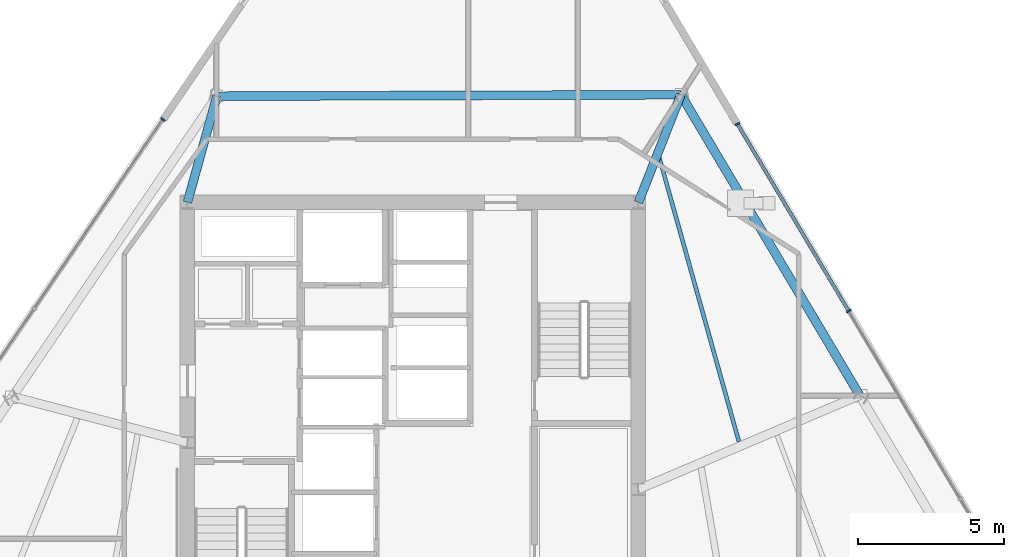
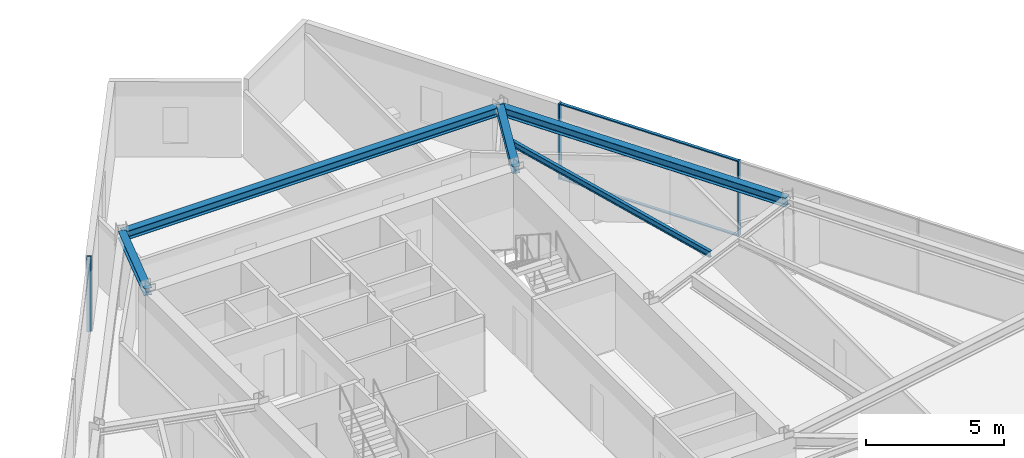
# One storey, part 6 of 13: 5 beams, 5 members, 2 elements without a shape of their own.
"""IFC4 building model written with IfcOpenShell, lengths in metres."""

from ifc_helpers import new_model, si_unit, direction, frame, origin, origin_2d, place, context, subcontext, project, spatial, rectangle, i_section, extrude, material, material_profile, profile_set, type_object, element, aggregate, save


model = new_model("IFC4")

# Units and contexts
model_context = context("Model", 3, precision=1e-05, world=origin(), true_north=direction((0.0, 1.0)))
body_context = subcontext(model_context, "Body", "Model", "MODEL_VIEW")
ifc_project = project(units=[si_unit("LENGTHUNIT", "METRE"), si_unit("AREAUNIT", "SQUARE_METRE"), si_unit("VOLUMEUNIT", "CUBIC_METRE"), si_unit("PLANEANGLEUNIT", "RADIAN"), si_unit("MASSUNIT", "GRAM", prefix="KILO")], contexts=[model_context])

# Site, building, storey
site_placement = place(None, origin())
site = spatial("IfcSite", under=ifc_project, at=site_placement, CompositionType="ELEMENT")
building_placement = place(site_placement, origin())
building = spatial("IfcBuilding", under=site, at=building_placement, Name="Savorim Split Tower", CompositionType="ELEMENT")
storey_placement = place(building_placement, frame((0.0, 0.0, 174.60009765625)))
storey = spatial("IfcBuildingStorey", under=building, at=storey_placement, Name="L46", CompositionType="ELEMENT", Elevation=174.60009765625)

# Beams
ifc_material_1 = material(Name="Steel S355", Category="steel")
ifc_material_profile_1 = material_profile(ifc_material_1, i_section(OverallWidth=0.135009765625, OverallDepth=0.27001953125, WebThickness=0.006591796875, FlangeThickness=0.01025390625, FilletRadius=0.014892578125, at=origin_2d()), Name="IPE 270")
ifc_profile_set_1 = profile_set([ifc_material_profile_1], Name="Steel S355")
beam_type_1 = type_object("IfcBeamType", Name="BM-JST-IPE270", PredefinedType="JOIST", material=ifc_profile_set_1)
beam_1_placement = place(storey_placement, frame((11.13232421875, 2.03125, 3.21484375), z_axis=(-0.269954247907, 0.962873150543, 0.0), x_axis=(-0.962873150543, -0.269954247907, 0.0)))
element("IfcBeam", 1, at=beam_1_placement, inside=storey, type_object=beam_type_1, Name="L46 Secondary Floor Joist JS-07", PredefinedType="JOIST", context=body_context, shape_type="SweptSolid", body=[
    extrude(i_section(OverallWidth=0.135009765625, OverallDepth=0.27001953125, WebThickness=0.006591796875, FlangeThickness=0.01025390625, FilletRadius=0.014892578125, at=origin_2d()), origin(), (0.0, 0.0, 1.0), 10.079345703125),
])
ifc_material_profile_2 = material_profile(ifc_material_1, i_section(OverallWidth=0.300048828125, OverallDepth=0.320068359375, WebThickness=0.011474609375, FlangeThickness=0.0205078125, FilletRadius=0.027099609375, at=origin_2d()), Name="HEB 320")
ifc_profile_set_2 = profile_set([ifc_material_profile_2], Name="Steel S355")
beam_type_2 = type_object("IfcBeamType", Name="BM-PRI-HEB320", PredefinedType="BEAM", material=ifc_profile_set_2)
beam_2_placement = place(storey_placement, frame((9.15234375, 13.875, 3.18994140625), z_axis=(-0.367542084086, -0.930006890526, 0.0), x_axis=(0.930006890526, -0.367542084086, 0.0)))
element("IfcBeam", 2, at=beam_2_placement, inside=storey, type_object=beam_type_2, Name="L46 Primary Floor Girder RG-07", PredefinedType="BEAM", context=body_context, shape_type="SweptSolid", body=[
    extrude(i_section(OverallWidth=0.300048828125, OverallDepth=0.320068359375, WebThickness=0.011474609375, FlangeThickness=0.0205078125, FilletRadius=0.027099609375, at=origin_2d()), origin(), (0.0, 0.0, 1.0), 3.95166015625),
])
beam_3_placement = place(storey_placement, frame((-6.6923828125, 13.826171875, 3.18994140625), z_axis=(-0.267714122272, -0.963498390625, 0.0), x_axis=(0.963498390625, -0.267714122272, 0.0)))
element("IfcBeam", 3, at=beam_3_placement, inside=storey, type_object=beam_type_2, Name="L46 Primary Floor Girder RG-08", PredefinedType="BEAM", context=body_context, shape_type="SweptSolid", body=[
    extrude(i_section(OverallWidth=0.300048828125, OverallDepth=0.320068359375, WebThickness=0.011474609375, FlangeThickness=0.0205078125, FilletRadius=0.027099609375, at=origin_2d()), origin(), (0.0, 0.0, 1.0), 3.763671875),
])
ifc_material_profile_3 = material_profile(ifc_material_1, i_section(OverallWidth=0.300048828125, OverallDepth=0.389892578125, WebThickness=0.010986328125, FlangeThickness=0.01904296875, FilletRadius=0.027099609375, at=origin_2d()), Name="HEA 400")
ifc_profile_set_3 = profile_set([ifc_material_profile_3], Name="Steel S355")
beam_type_3 = type_object("IfcBeamType", Name="BM-SPN-HEA400", PredefinedType="SPANDREL", material=ifc_profile_set_3)
beam_4_placement = place(storey_placement, frame((15.25537109375, 3.611083984375, 3.15478515625), z_axis=(-0.511085190576, 0.859530062286, 0.0), x_axis=(-0.859530062286, -0.511085190576, 0.0)))
element("IfcBeam", 4, at=beam_4_placement, inside=storey, type_object=beam_type_3, Name="L46 Perimeter Spandrel Beam 6", PredefinedType="SPANDREL", context=body_context, shape_type="SweptSolid", body=[
    extrude(i_section(OverallWidth=0.300048828125, OverallDepth=0.389892578125, WebThickness=0.010986328125, FlangeThickness=0.01904296875, FilletRadius=0.027099609375, at=origin_2d()), origin(), (0.0, 0.0, 1.0), 11.94140625),
])
beam_5_placement = place(storey_placement, frame((9.15234375, 13.875, 3.15478515625), z_axis=(-0.999995251707, -0.003081649466, 0.0), x_axis=(0.003081649466, -0.999995251707, 0.0)))
element("IfcBeam", 5, at=beam_5_placement, inside=storey, type_object=beam_type_3, Name="L46 Perimeter Spandrel Beam 7", PredefinedType="SPANDREL", context=body_context, shape_type="SweptSolid", body=[
    extrude(i_section(OverallWidth=0.300048828125, OverallDepth=0.389892578125, WebThickness=0.010986328125, FlangeThickness=0.01904296875, FilletRadius=0.027099609375, at=origin_2d()), origin(), (0.0, 0.0, 1.0), 15.8447265625),
])

# Curtain wall, members
ifc_material_2 = material(Name="Dark Ceramic-Fritted Insulated Glass", Category="glass")
curtain_wall_type = type_object("IfcCurtainWallType", Name="CW-TWR-FRIT-B", PredefinedType="NOTDEFINED", material=ifc_material_2)
curtain_wall_1_placement = place(storey_placement, origin())
curtain_wall_1 = element("IfcCurtainWall", 6, at=curtain_wall_1_placement, inside=storey, type_object=curtain_wall_type, Name="L46 Curtain Wall CW-L46-EAST", PredefinedType="NOTDEFINED")
ifc_material_3 = material(Name="Charcoal Anodised Aluminium", Category="aluminium")
ifc_material_profile_4 = material_profile(ifc_material_3, rectangle(XDim=0.159912109375, YDim=0.06005859375, at=origin_2d()), Name="ALU-M 160x60")
ifc_profile_set_4 = profile_set([ifc_material_profile_4], Name="Charcoal Anodised Aluminium")
member_type_1 = type_object("IfcMemberType", Name="CWM-160x60", PredefinedType="MULLION", material=ifc_profile_set_4)
member_1_placement = place(storey_placement, frame((14.8818359375, 6.48779296875, 0.0), z_axis=(0.0, 0.0, 1.0), x_axis=(-0.85952495128, -0.511093786039, 0.0)))
member_1 = element("IfcMember", 7, at=member_1_placement, type_object=member_type_1, Name="CW-03 mullion 4", PredefinedType="MULLION", context=body_context, shape_type="SweptSolid", body=[
    extrude(rectangle(XDim=0.159912109375, YDim=0.06005859375, at=origin_2d()), origin(), (0.0, 0.0, 1.0), 3.349853515625),
])
member_2_placement = place(storey_placement, frame((11.08251953125, 12.877197265625, 0.0), z_axis=(0.0, 0.0, 1.0), x_axis=(-0.85952495128, -0.511093786039, 0.0)))
member_2 = element("IfcMember", 8, at=member_2_placement, type_object=member_type_1, Name="CW-03 mullion 5", PredefinedType="MULLION", context=body_context, shape_type="SweptSolid", body=[
    extrude(rectangle(XDim=0.159912109375, YDim=0.06005859375, at=origin_2d()), origin(), (0.0, 0.0, 1.0), 3.349853515625),
])

# Curtain wall, member
curtain_wall_2_placement = place(storey_placement, origin())
curtain_wall_2 = element("IfcCurtainWall", 9, at=curtain_wall_2_placement, inside=storey, type_object=curtain_wall_type, Name="L46 Curtain Wall CW-L46-WEST", PredefinedType="NOTDEFINED")
member_3_placement = place(storey_placement, frame((-8.533935546875, 13.028564453125, 0.0), z_axis=(0.0, 0.0, 1.0), x_axis=(0.826819248854, -0.562467714384, 0.0)))
member_3 = element("IfcMember", 10, at=member_3_placement, type_object=member_type_1, Name="CW-03 mullion 1", PredefinedType="MULLION", context=body_context, shape_type="SweptSolid", body=[
    extrude(rectangle(XDim=0.159912109375, YDim=0.06005859375, at=origin_2d()), origin(), (0.0, 0.0, 1.0), 3.349853515625),
])
aggregate(curtain_wall_2, [member_3])

# Member
ifc_material_profile_5 = material_profile(ifc_material_3, rectangle(XDim=0.1201171875, YDim=0.050048828125, at=origin_2d()), Name="ALU-T 120x50")
ifc_profile_set_5 = profile_set([ifc_material_profile_5], Name="Charcoal Anodised Aluminium")
member_type_2 = type_object("IfcMemberType", Name="CWT-120x50", PredefinedType="USERDEFINED", material=ifc_profile_set_5)
member_4_placement = place(storey_placement, frame((14.866455078125, 6.513671875, 0.02490234375), z_axis=(-0.511097871575, 0.859522521911, 0.0), x_axis=(-0.859522521911, -0.511097871575, 0.0)))
member_4 = element("IfcMember", 11, at=member_4_placement, type_object=member_type_2, Name="CW-03 transom 4.1", ObjectType="TRANSOM", PredefinedType="USERDEFINED", context=body_context, shape_type="SweptSolid", body=[
    extrude(rectangle(XDim=0.1201171875, YDim=0.050048828125, at=origin_2d()), origin(), (0.0, 0.0, 1.0), 7.37353515625),
])

member_5_placement = place(storey_placement, frame((14.866455078125, 6.513671875, 3.324951171875), z_axis=(-0.511097871575, 0.859522521911, 0.0), x_axis=(-0.859522521911, -0.511097871575, 0.0)))
member_5 = element("IfcMember", 12, at=member_5_placement, type_object=member_type_2, Name="CW-03 transom 4.2", ObjectType="TRANSOM", PredefinedType="USERDEFINED", context=body_context, shape_type="SweptSolid", body=[
    extrude(rectangle(XDim=0.1201171875, YDim=0.050048828125, at=origin_2d()), origin(), (0.0, 0.0, 1.0), 7.37353515625),
])

aggregate(curtain_wall_1, [member_1, member_2, member_4, member_5])

save(model, "model.ifc")
